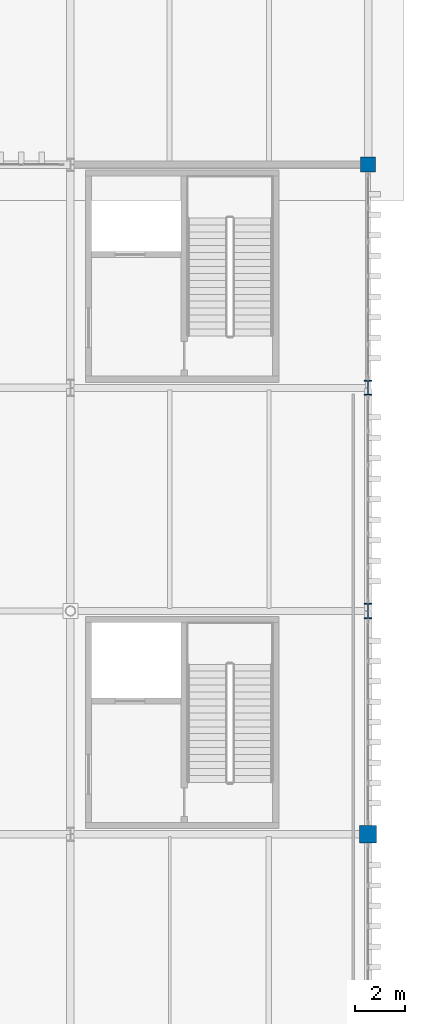
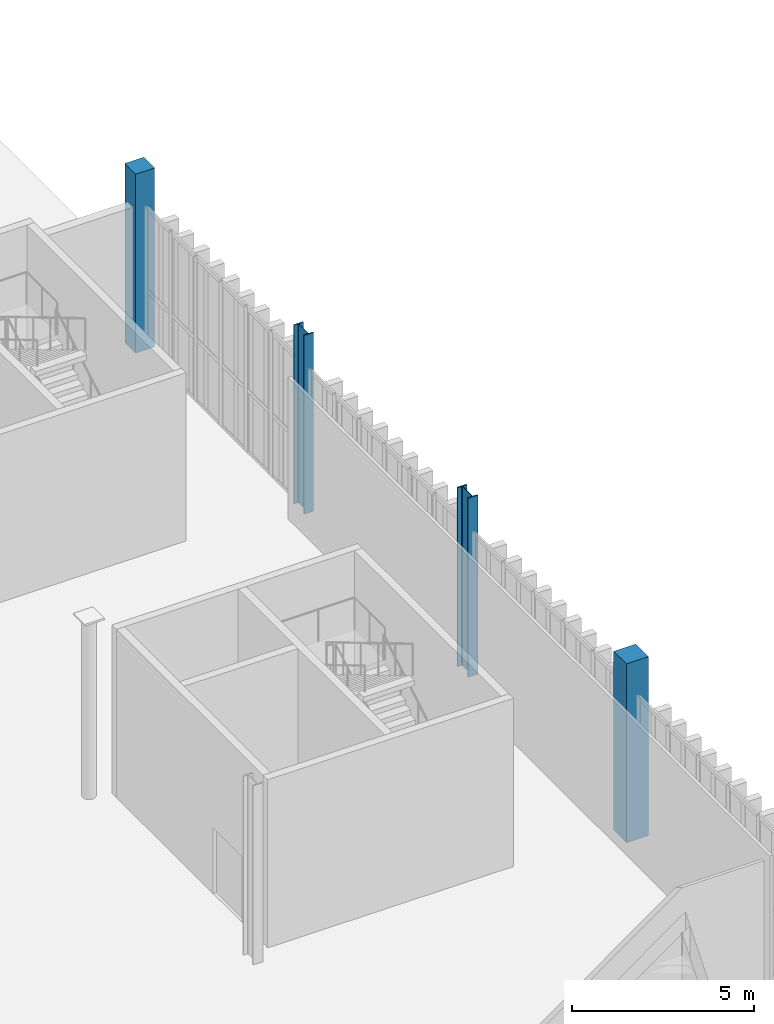
# One storey, part 21 of 237: 4 columns.
"""IFC4 building model written with IfcOpenShell, lengths in metres."""

from ifc_helpers import new_model, si_unit, direction, frame, origin, origin_2d, place, context, subcontext, project, spatial, rectangle, i_section, extrude, material, material_profile, profile_set, type_object, element, save


model = new_model("IFC4")

# Units and contexts
model_context = context("Model", 3, precision=1e-05, world=origin(), true_north=direction((0.0, 1.0)))
body_context = subcontext(model_context, "Body", "Model", "MODEL_VIEW")
ifc_project = project(units=[si_unit("LENGTHUNIT", "METRE"), si_unit("AREAUNIT", "SQUARE_METRE"), si_unit("VOLUMEUNIT", "CUBIC_METRE"), si_unit("PLANEANGLEUNIT", "RADIAN"), si_unit("MASSUNIT", "GRAM", prefix="KILO")], contexts=[model_context])

# Site, building, storey
site_placement = place(None, origin())
site = spatial("IfcSite", under=ifc_project, at=site_placement, CompositionType="ELEMENT")
building_placement = place(site_placement, origin())
building = spatial("IfcBuilding", under=site, at=building_placement, Name="Barlavento Convention Centre", CompositionType="ELEMENT")
storey_placement = place(building_placement, frame((0.0, 0.0, 12.0)))
storey = spatial("IfcBuildingStorey", under=building, at=storey_placement, Name="L02", CompositionType="ELEMENT", Elevation=12.0)

# Columns
ifc_material_1 = material(Name="Steel S355", Category="steel")
ifc_material_profile_1 = material_profile(ifc_material_1, i_section(OverallWidth=0.300048828125, OverallDepth=0.60009765625, WebThickness=0.015380859375, FlangeThickness=0.030029296875, FilletRadius=0.027099609375, at=origin_2d()), Name="HEB 600")
ifc_profile_set_1 = profile_set([ifc_material_profile_1], Name="Steel S355")
column_type_1 = type_object("IfcColumnType", Name="STR-COL-HEB600", PredefinedType="COLUMN", material=ifc_profile_set_1)
column_1_placement = place(storey_placement, frame((192.0, 90.0, 0.0), z_axis=(0.0, 0.0, 1.0), x_axis=(1.0, 0.0, 0.0)))
element("IfcColumn", 1, at=column_1_placement, inside=storey, type_object=column_type_1, Name="L02 column SC08", PredefinedType="COLUMN", context=body_context, shape_type="SweptSolid", body=[
    extrude(i_section(OverallWidth=0.300048828125, OverallDepth=0.60009765625, WebThickness=0.015380859375, FlangeThickness=0.030029296875, FilletRadius=0.027099609375, at=origin_2d()), origin(), (0.0, 0.0, 1.0), 6.0),
])
ifc_material_profile_2 = material_profile(ifc_material_1, i_section(OverallWidth=0.304931640625, OverallDepth=0.6201171875, WebThickness=0.02099609375, FlangeThickness=0.0400390625, FilletRadius=0.027099609375, at=origin_2d()), Name="HEM 600")
ifc_profile_set_2 = profile_set([ifc_material_profile_2], Name="Steel S355")
column_type_2 = type_object("IfcColumnType", Name="STR-COL-HEM600", PredefinedType="COLUMN", material=ifc_profile_set_2)
column_2_placement = place(storey_placement, frame((192.0, 81.0, 0.0), z_axis=(0.0, 0.0, 1.0), x_axis=(1.0, 0.0, 0.0)))
element("IfcColumn", 2, at=column_2_placement, inside=storey, type_object=column_type_2, Name="L02 column SC05", PredefinedType="COLUMN", context=body_context, shape_type="SweptSolid", body=[
    extrude(i_section(OverallWidth=0.304931640625, OverallDepth=0.6201171875, WebThickness=0.02099609375, FlangeThickness=0.0400390625, FilletRadius=0.027099609375, at=origin_2d()), origin(), (0.0, 0.0, 1.0), 6.0),
])
ifc_material_2 = material(Name="Concrete C40/50", Category="concrete")
ifc_material_profile_3 = material_profile(ifc_material_2, rectangle(XDim=0.60009765625, YDim=0.60009765625, at=origin_2d()), Name="RC 600x600")
ifc_profile_set_3 = profile_set([ifc_material_profile_3], Name="Concrete C40/50")
column_type_3 = type_object("IfcColumnType", Name="STR-COL-RC600", PredefinedType="COLUMN", material=ifc_profile_set_3)
column_3_placement = place(storey_placement, frame((192.0, 99.0, 0.0), z_axis=(0.0, 0.0, 1.0), x_axis=(1.0, 0.0, 0.0)))
element("IfcColumn", 3, at=column_3_placement, inside=storey, type_object=column_type_3, Name="L02 column CC07", PredefinedType="COLUMN", context=body_context, shape_type="SweptSolid", body=[
    extrude(rectangle(XDim=0.60009765625, YDim=0.60009765625, at=origin_2d()), origin(), (0.0, 0.0, 1.0), 6.0),
])
ifc_material_profile_4 = material_profile(ifc_material_2, rectangle(XDim=0.699951171875, YDim=0.699951171875, at=origin_2d()), Name="RC 700x700")
ifc_profile_set_4 = profile_set([ifc_material_profile_4], Name="Concrete C40/50")
column_type_4 = type_object("IfcColumnType", Name="STR-COL-RC700", PredefinedType="COLUMN", material=ifc_profile_set_4)
column_4_placement = place(storey_placement, frame((192.0, 72.0, 0.0), z_axis=(0.0, 0.0, 1.0), x_axis=(1.0, 0.0, 0.0)))
element("IfcColumn", 4, at=column_4_placement, inside=storey, type_object=column_type_4, Name="L02 column CC06", PredefinedType="COLUMN", context=body_context, shape_type="SweptSolid", body=[
    extrude(rectangle(XDim=0.699951171875, YDim=0.699951171875, at=origin_2d()), origin(), (0.0, 0.0, 1.0), 6.0),
])

save(model, "model.ifc")
